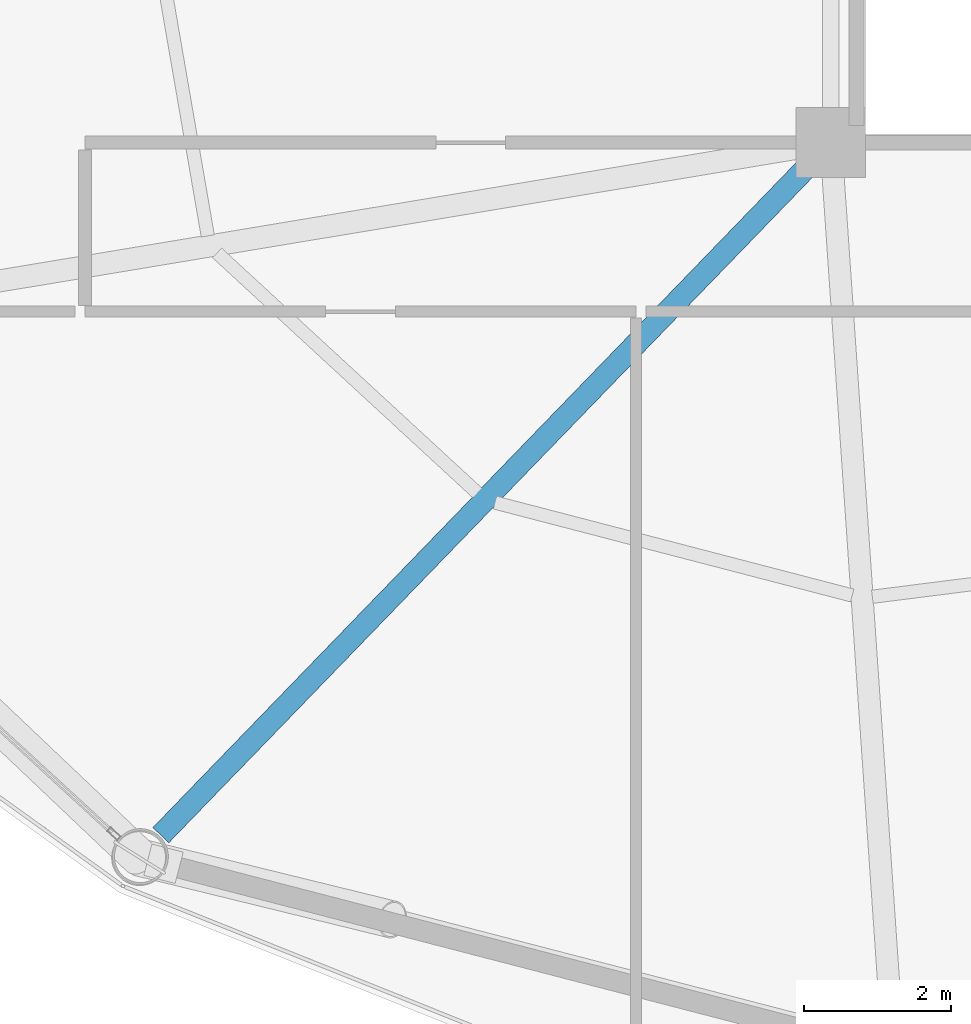
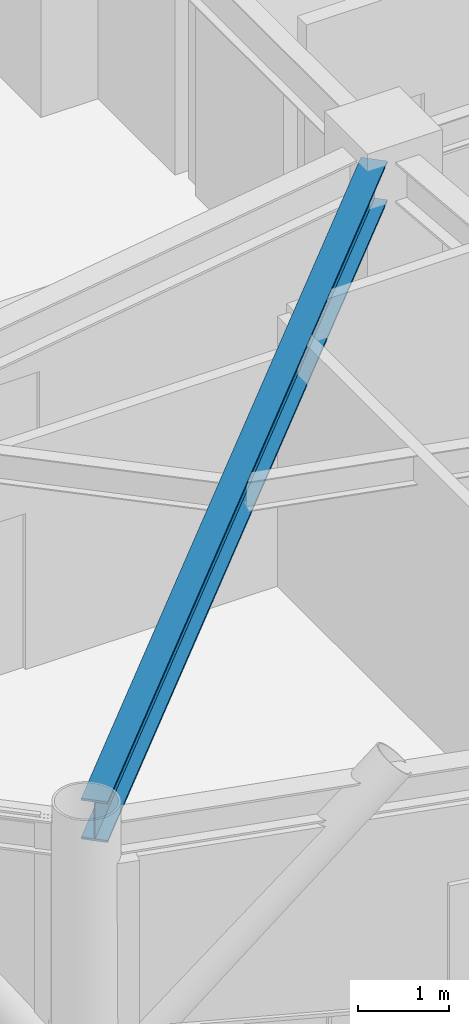
# One storey, part 4 of 25: 1 beam.
"""IFC4 building model written with IfcOpenShell, lengths in metres."""

from ifc_helpers import new_model, si_unit, direction, frame, origin, origin_2d, place, context, subcontext, project, spatial, i_section, extrude, material, material_profile, profile_set, type_object, element, save


model = new_model("IFC4")

# Units and contexts
model_context = context("Model", 3, precision=1e-05, world=origin(), true_north=direction((0.0, 1.0)))
body_context = subcontext(model_context, "Body", "Model", "MODEL_VIEW")
ifc_project = project(units=[si_unit("LENGTHUNIT", "METRE"), si_unit("AREAUNIT", "SQUARE_METRE"), si_unit("VOLUMEUNIT", "CUBIC_METRE"), si_unit("PLANEANGLEUNIT", "RADIAN"), si_unit("MASSUNIT", "GRAM", prefix="KILO")], contexts=[model_context])

# Site, building, storey
site_placement = place(None, origin())
site = spatial("IfcSite", under=ifc_project, at=site_placement, CompositionType="ELEMENT")
building_placement = place(site_placement, origin())
building = spatial("IfcBuilding", under=site, at=building_placement, Name="Varnakorn Sky Granary", CompositionType="ELEMENT")
storey_placement = place(building_placement, frame((0.0, 0.0, 157.800048828125)))
storey = spatial("IfcBuildingStorey", under=building, at=storey_placement, Name="L39", CompositionType="ELEMENT", Elevation=157.800048828125)

# Beam
ifc_material = material(Name="Steel S355JR", Category="steel")
ifc_material_profile = material_profile(ifc_material, i_section(OverallWidth=0.300048828125, OverallDepth=0.550048828125, WebThickness=0.014892578125, FlangeThickness=0.029052734375, at=origin_2d()), Name="HE 550 B")
ifc_profile_set = profile_set([ifc_material_profile], Name="Steel S355JR")
beam_type = type_object("IfcBeamType", Name="BM-RAD-Z3", PredefinedType="BEAM", material=ifc_profile_set)
beam_placement = place(storey_placement, frame((-2.64208984375, -6.90185546875, 3.364990234375), z_axis=(-0.695289122258, -0.718730155531, 0.0), x_axis=(0.718730155531, -0.695289122258, 0.0)))
element("IfcBeam", 1, at=beam_placement, inside=storey, type_object=beam_type, Name="Radial Floor Girder RG09 L39", PredefinedType="BEAM", context=body_context, shape_type="SweptSolid", body=[
    extrude(i_section(OverallWidth=0.300048828125, OverallDepth=0.550048828125, WebThickness=0.014892578125, FlangeThickness=0.029052734375, at=origin_2d()), origin(), (0.0, 0.0, 1.0), 12.696044921875),
])

save(model, "model.ifc")
